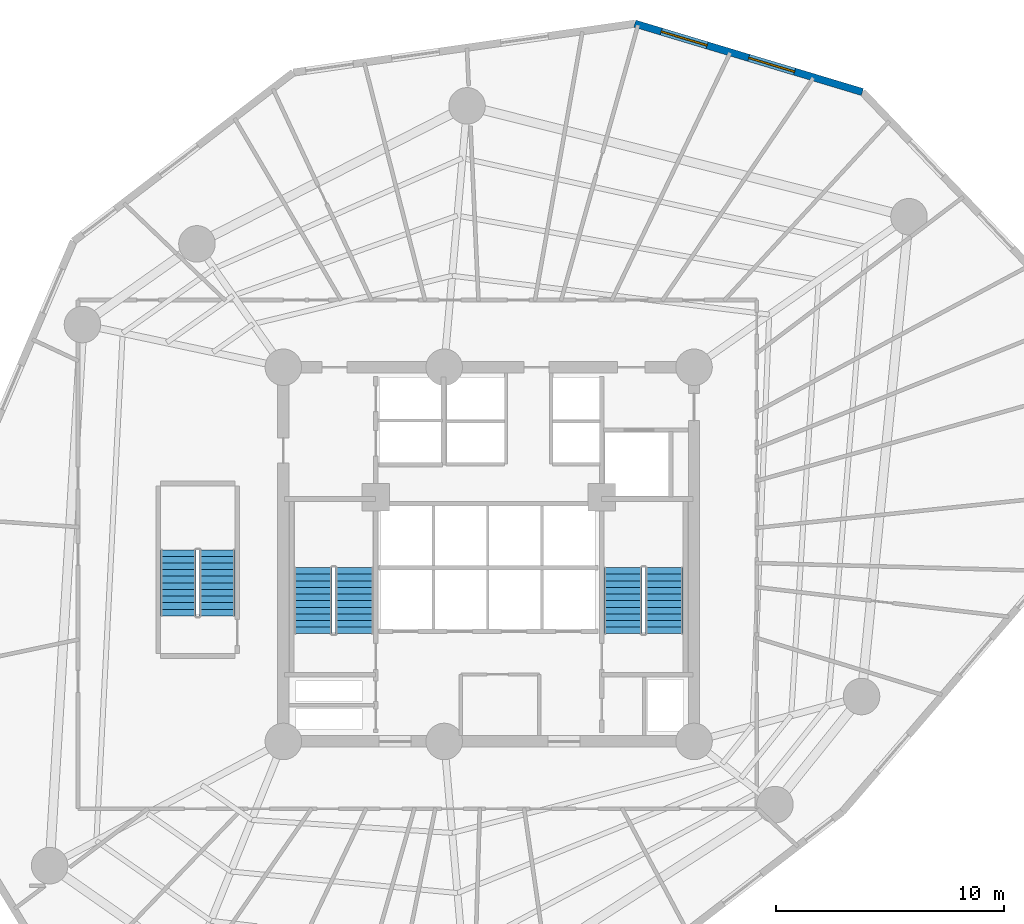
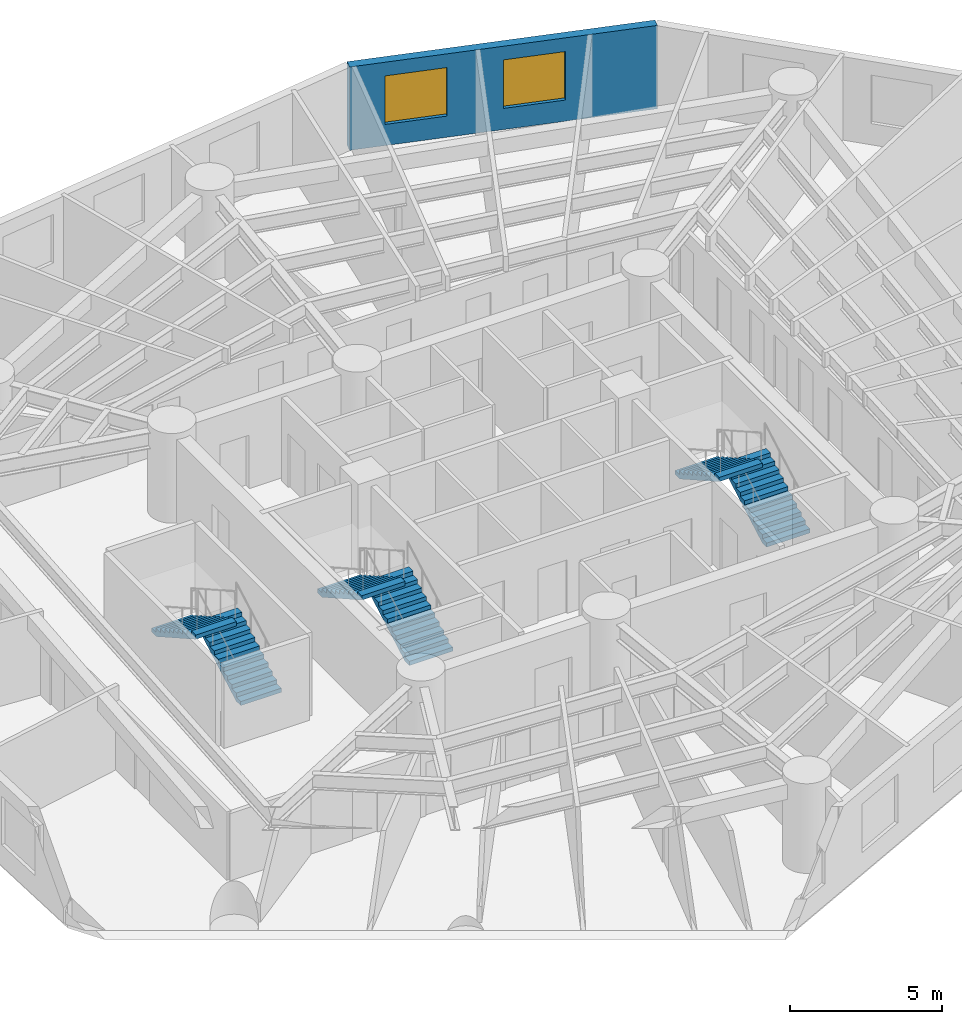
# One storey, part 7 of 8: 6 stair flights, 2 windows, 1 wall, 2 openings, 3 elements without a shape of their own.
"""IFC4 building model written with IfcOpenShell, lengths in metres."""

from ifc_helpers import new_model, si_unit, direction, frame, frame_2d, origin, origin_with_axes, place, context, subcontext, project, spatial, polyline, rectangle, outline, extrude, source, transform, mapped, material, layer, layer_set, type_object, element, fill, aggregate, save


model = new_model("IFC4")

# Units and contexts
model_context = context("Model", 3, precision=1e-05, world=origin(), true_north=direction((0.0, 1.0)))
body_context = subcontext(model_context, "Body", "Model", "MODEL_VIEW")
ifc_project = project(units=[si_unit("LENGTHUNIT", "METRE"), si_unit("AREAUNIT", "SQUARE_METRE"), si_unit("VOLUMEUNIT", "CUBIC_METRE"), si_unit("PLANEANGLEUNIT", "RADIAN"), si_unit("MASSUNIT", "GRAM", prefix="KILO")], contexts=[model_context])

# Site, building, storey
site_placement = place(None, origin())
site = spatial("IfcSite", under=ifc_project, at=site_placement, CompositionType="ELEMENT")
building_placement = place(site_placement, origin())
building = spatial("IfcBuilding", under=site, at=building_placement, Name="Karkom Vertical University and Central Library", CompositionType="ELEMENT")
storey_placement = place(building_placement, frame((0.0, 0.0, 51.699951171875)))
storey = spatial("IfcBuildingStorey", under=building, at=storey_placement, Name="L13", CompositionType="ELEMENT", Elevation=51.699951171875)

# Wall, openings, windows
ifc_material_1 = material(Name="Brick-faced precast concrete C45/55", Category="masonry")
ifc_layer = layer(ifc_material_1, 0.320068359375)
ifc_layer_set = layer_set([ifc_layer], Name="Brick-faced precast concrete C45/55")
wall_type = type_object("IfcWallType", Name="ENV-WL-BRK-320", PredefinedType="SOLIDWALL", material=ifc_layer_set)
wall_placement = place(storey_placement, frame((44.878173828125, 46.761962890625, 0.0), z_axis=(0.0, 0.0, 1.0), x_axis=(-0.957651898768, 0.287928534166, 0.0)))
wall = element("IfcWall", 1, at=wall_placement, inside=storey, type_object=wall_type, Name="Level 13 Brick-Faced Precast Facade Wall 11", PredefinedType="SOLIDWALL", context=body_context, shape_type="SweptSolid", body=[
    extrude(rectangle(XDim=10.4140625, YDim=0.320068359375, at=frame_2d((5.20703125, 0.0))), origin(), (0.0, 0.0, 1.0), 3.35009765625),
])
opening_1_placement = place(wall_placement, frame((3.1005859375, 0.0, 0.85009765625)))
opening_1 = element("IfcOpeningElement", 2, at=opening_1_placement, cuts=wall, Name="Opening WN-03", PredefinedType="OPENING", context=body_context, shape_type="SweptSolid", body=[
    extrude(rectangle(XDim=2.10009765625, YDim=1.949951171875, at=frame_2d((1.050048828125, 0.97509765625))), frame((0.0, 0.169921875, 0.0), z_axis=(0.0, -1.0, 0.0), x_axis=(1.0, 0.0, 0.0)), (0.0, 0.0, 1.0), 0.340087890625),
])
opening_2_placement = place(wall_placement, frame((7.10546875, 0.0, 0.85009765625)))
opening_2 = element("IfcOpeningElement", 3, at=opening_2_placement, cuts=wall, Name="Opening WN-03", PredefinedType="OPENING", context=body_context, shape_type="SweptSolid", body=[
    extrude(rectangle(XDim=2.10009765625, YDim=1.949951171875, at=frame_2d((1.050048828125, 0.97509765625))), frame((0.0, 0.169921875, 0.0), z_axis=(0.0, -1.0, 0.0), x_axis=(1.0, 0.0, 0.0)), (0.0, 0.0, 1.0), 0.340087890625),
])
ifc_material_2 = material(Name="Aluminium thermal-break frame with solar-control IGU", Category="aluminium")
window_type = type_object("IfcWindowType", Name="ENV-WIN-WN-03", PartitioningType="SINGLE_PANEL", PredefinedType="WINDOW", material=ifc_material_2)
shared_shape = source(origin_with_axes(), body_context, "Body", "SweptSolid", [
    extrude(rectangle(XDim=2.10009765625, YDim=1.949951171875, at=frame_2d((1.050048828125, 0.97509765625))), frame((0.0, 0.030029296875, 0.0), z_axis=(0.0, -1.0, 0.0), x_axis=(1.0, 0.0, 0.0)), (0.0, 0.0, 1.0), 0.06005859375),
])
window_1_placement = place(opening_1_placement, origin())
window_1 = element("IfcWindow", 4, at=window_1_placement, inside=storey, type_object=window_type, Name="Level 13 Punched Window 11.1", OverallHeight=1.949951171875, OverallWidth=2.10009765625, PartitioningType="SINGLE_PANEL", PredefinedType="WINDOW", context=body_context, shape_type="MappedRepresentation", body=[
    mapped(shared_shape, transform((0.0, 0.0, 0.0), scale=1.0)),
])
fill(opening_1, window_1)
window_2_placement = place(opening_2_placement, origin())
window_2 = element("IfcWindow", 5, at=window_2_placement, inside=storey, type_object=window_type, Name="Level 13 Punched Window 11.2", OverallHeight=1.949951171875, OverallWidth=2.10009765625, PartitioningType="SINGLE_PANEL", PredefinedType="WINDOW", context=body_context, shape_type="MappedRepresentation", body=[
    mapped(shared_shape, transform((0.0, 0.0, 0.0), scale=1.0)),
])
fill(opening_2, window_2)

# Stair, stair flights
ifc_material_3 = material(Name="Concrete C45/55", Category="concrete")
stair_type_1 = type_object("IfcStairType", Name="INT-STR-ST-MAIN", PredefinedType="HALF_TURN_STAIR", material=ifc_material_3)
stair_1_placement = place(storey_placement, origin())
stair_1 = element("IfcStair", 6, at=stair_1_placement, inside=storey, type_object=stair_type_1, Name="Level 13 Tower Protected Exit Stair ST-1", PredefinedType="HALF_TURN_STAIR")
stair_flight_type_1 = type_object("IfcStairFlightType", Name="INT-SFL-ST-MAIN", PredefinedType="STRAIGHT", material=ifc_material_3)
stair_flight_1_placement = place(storey_placement, frame((22.614990234375, 23.02001953125, 0.0), z_axis=(0.0, 0.0, 1.0), x_axis=(0.0, 1.0, 0.0)))
stair_flight_1 = element("IfcStairFlight", 7, at=stair_flight_1_placement, type_object=stair_flight_type_1, Name="ST-1 flight 1", NumberOfRisers=11, NumberOfTreads=10, PredefinedType="STRAIGHT", RiserHeight=0.163636364, TreadLength=0.29, context=body_context, shape_type="SweptSolid", body=[
    extrude(outline(polyline([(0.0, 0.0), (0.0, 0.16357421875), (0.2900390625, 0.16357421875), (0.2900390625, 0.327392578125), (0.580078125, 0.327392578125), (0.580078125, 0.490966796875), (0.8701171875, 0.490966796875), (0.8701171875, 0.654541015625), (1.159912109375, 0.654541015625), (1.159912109375, 0.818115234375), (1.449951171875, 0.818115234375), (1.449951171875, 0.98193359375), (1.739990234375, 0.98193359375), (1.739990234375, 1.1455078125), (2.030029296875, 1.1455078125), (2.030029296875, 1.30908203125), (2.320068359375, 1.30908203125), (2.320068359375, 1.47265625), (2.610107421875, 1.47265625), (2.610107421875, 1.636474609375), (2.89990234375, 1.636474609375), (2.89990234375, 1.800048828125), (2.89990234375, 1.46435546875), (0.304931640625, 0.0), (0.0, 0.0)])), frame((0.0, 0.824951171875, 0.0), z_axis=(0.0, -1.0, 0.0), x_axis=(1.0, 0.0, 0.0)), (0.0, 0.0, 1.0), 1.64990234375),
])
stair_flight_2_placement = place(storey_placement, frame((20.804931640625, 25.919921875, 1.800048828125), z_axis=(0.0, 0.0, 1.0), x_axis=(0.0, -1.0, 0.0)))
stair_flight_2 = element("IfcStairFlight", 8, at=stair_flight_2_placement, type_object=stair_flight_type_1, Name="ST-1 flight 2", NumberOfRisers=11, NumberOfTreads=10, PredefinedType="STRAIGHT", RiserHeight=0.163636364, TreadLength=0.29, context=body_context, shape_type="SweptSolid", body=[
    extrude(outline(polyline([(0.0, 0.0), (0.0, 0.16357421875), (0.2900390625, 0.16357421875), (0.2900390625, 0.327392578125), (0.580078125, 0.327392578125), (0.580078125, 0.490966796875), (0.8701171875, 0.490966796875), (0.8701171875, 0.654541015625), (1.159912109375, 0.654541015625), (1.159912109375, 0.818115234375), (1.449951171875, 0.818115234375), (1.449951171875, 0.98193359375), (1.739990234375, 0.98193359375), (1.739990234375, 1.1455078125), (2.030029296875, 1.1455078125), (2.030029296875, 1.30908203125), (2.320068359375, 1.30908203125), (2.320068359375, 1.47265625), (2.610107421875, 1.47265625), (2.610107421875, 1.636474609375), (2.89990234375, 1.636474609375), (2.89990234375, 1.800048828125), (2.89990234375, 1.46435546875), (0.304931640625, 0.0), (0.0, 0.0)])), frame((0.0, 0.824951171875, 0.0), z_axis=(0.0, -1.0, 0.0), x_axis=(1.0, 0.0, 0.0)), (0.0, 0.0, 1.0), 1.64990234375),
])
aggregate(stair_1, [stair_flight_1, stair_flight_2])

stair_2_placement = place(storey_placement, origin())
stair_2 = element("IfcStair", 9, at=stair_2_placement, inside=storey, type_object=stair_type_1, Name="Level 13 Tower Protected Exit Stair ST-2", PredefinedType="HALF_TURN_STAIR")
stair_flight_3_placement = place(storey_placement, frame((36.195068359375, 23.02001953125, 0.0), z_axis=(0.0, 0.0, 1.0), x_axis=(0.0, 1.0, 0.0)))
stair_flight_3 = element("IfcStairFlight", 10, at=stair_flight_3_placement, type_object=stair_flight_type_1, Name="ST-2 flight 1", NumberOfRisers=11, NumberOfTreads=10, PredefinedType="STRAIGHT", RiserHeight=0.163636364, TreadLength=0.29, context=body_context, shape_type="SweptSolid", body=[
    extrude(outline(polyline([(0.0, 0.0), (0.0, 0.16357421875), (0.2900390625, 0.16357421875), (0.2900390625, 0.327392578125), (0.580078125, 0.327392578125), (0.580078125, 0.490966796875), (0.8701171875, 0.490966796875), (0.8701171875, 0.654541015625), (1.159912109375, 0.654541015625), (1.159912109375, 0.818115234375), (1.449951171875, 0.818115234375), (1.449951171875, 0.98193359375), (1.739990234375, 0.98193359375), (1.739990234375, 1.1455078125), (2.030029296875, 1.1455078125), (2.030029296875, 1.30908203125), (2.320068359375, 1.30908203125), (2.320068359375, 1.47265625), (2.610107421875, 1.47265625), (2.610107421875, 1.636474609375), (2.89990234375, 1.636474609375), (2.89990234375, 1.800048828125), (2.89990234375, 1.46435546875), (0.304931640625, 0.0), (0.0, 0.0)])), frame((0.0, 0.824951171875, 0.0), z_axis=(0.0, -1.0, 0.0), x_axis=(1.0, 0.0, 0.0)), (0.0, 0.0, 1.0), 1.64990234375),
])
stair_flight_4_placement = place(storey_placement, frame((34.385009765625, 25.919921875, 1.800048828125), z_axis=(0.0, 0.0, 1.0), x_axis=(0.0, -1.0, 0.0)))
stair_flight_4 = element("IfcStairFlight", 11, at=stair_flight_4_placement, type_object=stair_flight_type_1, Name="ST-2 flight 2", NumberOfRisers=11, NumberOfTreads=10, PredefinedType="STRAIGHT", RiserHeight=0.163636364, TreadLength=0.29, context=body_context, shape_type="SweptSolid", body=[
    extrude(outline(polyline([(0.0, 0.0), (0.0, 0.16357421875), (0.2900390625, 0.16357421875), (0.2900390625, 0.327392578125), (0.580078125, 0.327392578125), (0.580078125, 0.490966796875), (0.8701171875, 0.490966796875), (0.8701171875, 0.654541015625), (1.159912109375, 0.654541015625), (1.159912109375, 0.818115234375), (1.449951171875, 0.818115234375), (1.449951171875, 0.98193359375), (1.739990234375, 0.98193359375), (1.739990234375, 1.1455078125), (2.030029296875, 1.1455078125), (2.030029296875, 1.30908203125), (2.320068359375, 1.30908203125), (2.320068359375, 1.47265625), (2.610107421875, 1.47265625), (2.610107421875, 1.636474609375), (2.89990234375, 1.636474609375), (2.89990234375, 1.800048828125), (2.89990234375, 1.46435546875), (0.304931640625, 0.0), (0.0, 0.0)])), frame((0.0, 0.824951171875, 0.0), z_axis=(0.0, -1.0, 0.0), x_axis=(1.0, 0.0, 0.0)), (0.0, 0.0, 1.0), 1.64990234375),
])
aggregate(stair_2, [stair_flight_3, stair_flight_4])

stair_type_2 = type_object("IfcStairType", Name="INT-STR-ST-SEC", PredefinedType="HALF_TURN_STAIR", material=ifc_material_3)
stair_3_placement = place(storey_placement, origin())
stair_3 = element("IfcStair", 12, at=stair_3_placement, inside=storey, type_object=stair_type_2, Name="Level 13 Academic Zone Protected Exit Stair ST-3", PredefinedType="HALF_TURN_STAIR")
stair_flight_type_2 = type_object("IfcStairFlightType", Name="INT-SFL-ST-SEC", PredefinedType="STRAIGHT", material=ifc_material_3)
stair_flight_5_placement = place(storey_placement, frame((16.60498046875, 23.800048828125, 0.0), z_axis=(0.0, 0.0, 1.0), x_axis=(0.0, 1.0, 0.0)))
stair_flight_5 = element("IfcStairFlight", 13, at=stair_flight_5_placement, type_object=stair_flight_type_2, Name="ST-3 flight 1", NumberOfRisers=11, NumberOfTreads=10, PredefinedType="STRAIGHT", RiserHeight=0.163636364, TreadLength=0.29, context=body_context, shape_type="SweptSolid", body=[
    extrude(outline(polyline([(0.0, 0.0), (0.0, 0.16357421875), (0.2900390625, 0.16357421875), (0.2900390625, 0.327392578125), (0.580078125, 0.327392578125), (0.580078125, 0.490966796875), (0.8701171875, 0.490966796875), (0.8701171875, 0.654541015625), (1.159912109375, 0.654541015625), (1.159912109375, 0.818115234375), (1.449951171875, 0.818115234375), (1.449951171875, 0.98193359375), (1.739990234375, 0.98193359375), (1.739990234375, 1.1455078125), (2.030029296875, 1.1455078125), (2.030029296875, 1.30908203125), (2.320068359375, 1.30908203125), (2.320068359375, 1.47265625), (2.610107421875, 1.47265625), (2.610107421875, 1.636474609375), (2.89990234375, 1.636474609375), (2.89990234375, 1.800048828125), (2.89990234375, 1.46435546875), (0.304931640625, 0.0), (0.0, 0.0)])), frame((0.0, 0.77490234375, 0.0), z_axis=(0.0, -1.0, 0.0), x_axis=(1.0, 0.0, 0.0)), (0.0, 0.0, 1.0), 1.550048828125),
])
stair_flight_6_placement = place(storey_placement, frame((14.89501953125, 26.699951171875, 1.800048828125), z_axis=(0.0, 0.0, 1.0), x_axis=(0.0, -1.0, 0.0)))
stair_flight_6 = element("IfcStairFlight", 14, at=stair_flight_6_placement, type_object=stair_flight_type_2, Name="ST-3 flight 2", NumberOfRisers=11, NumberOfTreads=10, PredefinedType="STRAIGHT", RiserHeight=0.163636364, TreadLength=0.29, context=body_context, shape_type="SweptSolid", body=[
    extrude(outline(polyline([(0.0, 0.0), (0.0, 0.16357421875), (0.2900390625, 0.16357421875), (0.2900390625, 0.327392578125), (0.580078125, 0.327392578125), (0.580078125, 0.490966796875), (0.8701171875, 0.490966796875), (0.8701171875, 0.654541015625), (1.159912109375, 0.654541015625), (1.159912109375, 0.818115234375), (1.449951171875, 0.818115234375), (1.449951171875, 0.98193359375), (1.739990234375, 0.98193359375), (1.739990234375, 1.1455078125), (2.030029296875, 1.1455078125), (2.030029296875, 1.30908203125), (2.320068359375, 1.30908203125), (2.320068359375, 1.47265625), (2.610107421875, 1.47265625), (2.610107421875, 1.636474609375), (2.89990234375, 1.636474609375), (2.89990234375, 1.800048828125), (2.89990234375, 1.46435546875), (0.304931640625, 0.0), (0.0, 0.0)])), frame((0.0, 0.77490234375, 0.0), z_axis=(0.0, -1.0, 0.0), x_axis=(1.0, 0.0, 0.0)), (0.0, 0.0, 1.0), 1.550048828125),
])
aggregate(stair_3, [stair_flight_5, stair_flight_6])

save(model, "model.ifc")
